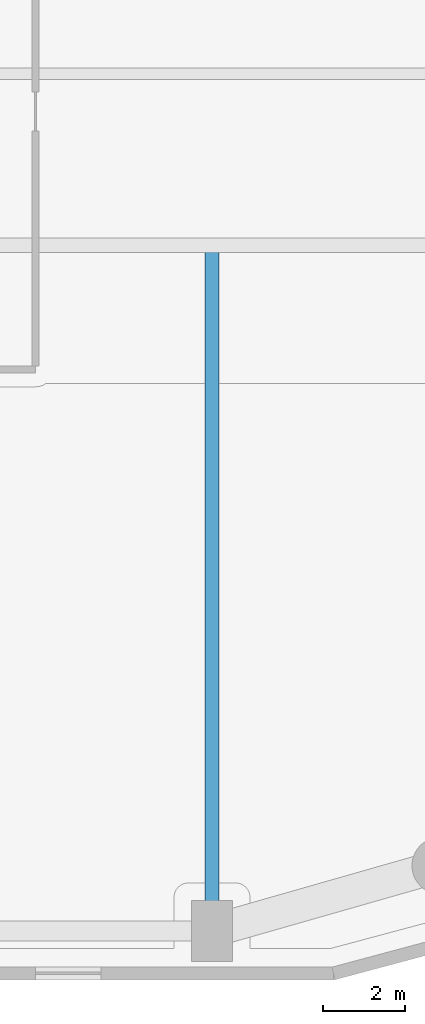
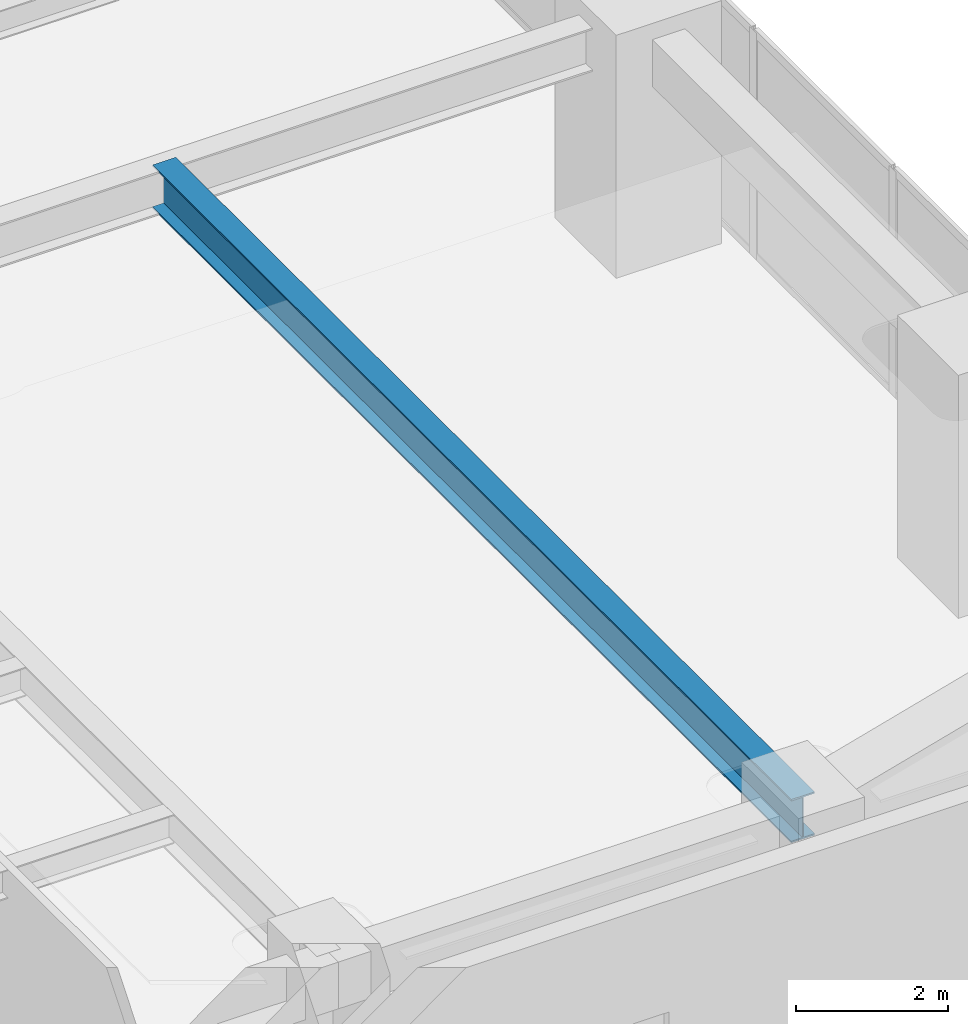
# One storey, part 5 of 28: 1 beam.
"""IFC4 building model written with IfcOpenShell, lengths in metres."""

from ifc_helpers import new_model, si_unit, direction, frame, origin, origin_2d, place, context, subcontext, project, spatial, i_section, extrude, material, material_profile, profile_set, type_object, element, save


model = new_model("IFC4")

# Units and contexts
model_context = context("Model", 3, precision=1e-05, world=origin(), true_north=direction((0.0, 1.0)))
body_context = subcontext(model_context, "Body", "Model", "MODEL_VIEW")
ifc_project = project(units=[si_unit("LENGTHUNIT", "METRE"), si_unit("AREAUNIT", "SQUARE_METRE"), si_unit("VOLUMEUNIT", "CUBIC_METRE"), si_unit("PLANEANGLEUNIT", "RADIAN"), si_unit("MASSUNIT", "GRAM", prefix="KILO")], contexts=[model_context])

# Site, building, storey
site_placement = place(None, origin())
site = spatial("IfcSite", under=ifc_project, at=site_placement, CompositionType="ELEMENT")
building_placement = place(site_placement, origin())
building = spatial("IfcBuilding", under=site, at=building_placement, Name="Kiyonajd Concourse Tower", CompositionType="ELEMENT")
storey_placement = place(building_placement, frame((0.0, 0.0, 60.60009765625)))
storey = spatial("IfcBuildingStorey", under=building, at=storey_placement, Name="L16", CompositionType="ELEMENT", Elevation=60.60009765625)

# Beam
ifc_material = material(Name="Steel ASTM A992 Grade 50", Category="steel")
ifc_material_profile = material_profile(ifc_material, i_section(OverallWidth=0.35498046875, OverallDepth=0.695068359375, WebThickness=0.015380859375, FlangeThickness=0.02490234375, at=origin_2d()), Name="W690X217")
ifc_profile_set = profile_set([ifc_material_profile], Name="Steel ASTM A992 Grade 50")
beam_type = type_object("IfcBeamType", Name="BM-TWR-690", PredefinedType="BEAM", material=ifc_profile_set)
beam_placement = place(storey_placement, frame((70.800048828125, 10.800048828125, 3.29248046875), z_axis=(0.0, 1.0, 0.0), x_axis=(-1.0, 0.0, 0.0)))
element("IfcBeam", 1, at=beam_placement, inside=storey, type_object=beam_type, Name="L16 South Lease Girder", PredefinedType="BEAM", context=body_context, shape_type="SweptSolid", body=[
    extrude(i_section(OverallWidth=0.35498046875, OverallDepth=0.695068359375, WebThickness=0.015380859375, FlangeThickness=0.02490234375, at=origin_2d()), origin(), (0.0, 0.0, 1.0), 16.800048828125),
])

save(model, "model.ifc")
